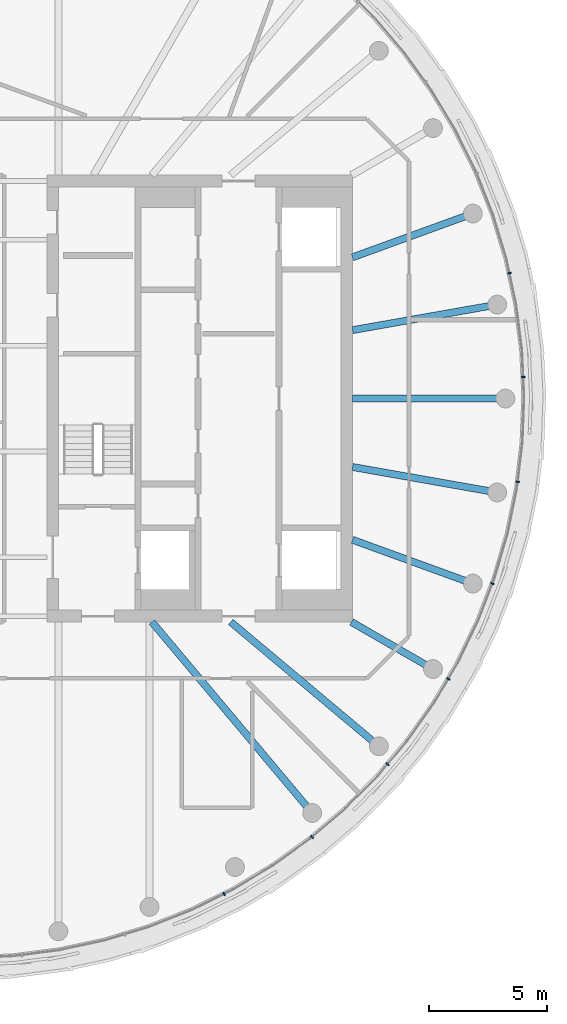
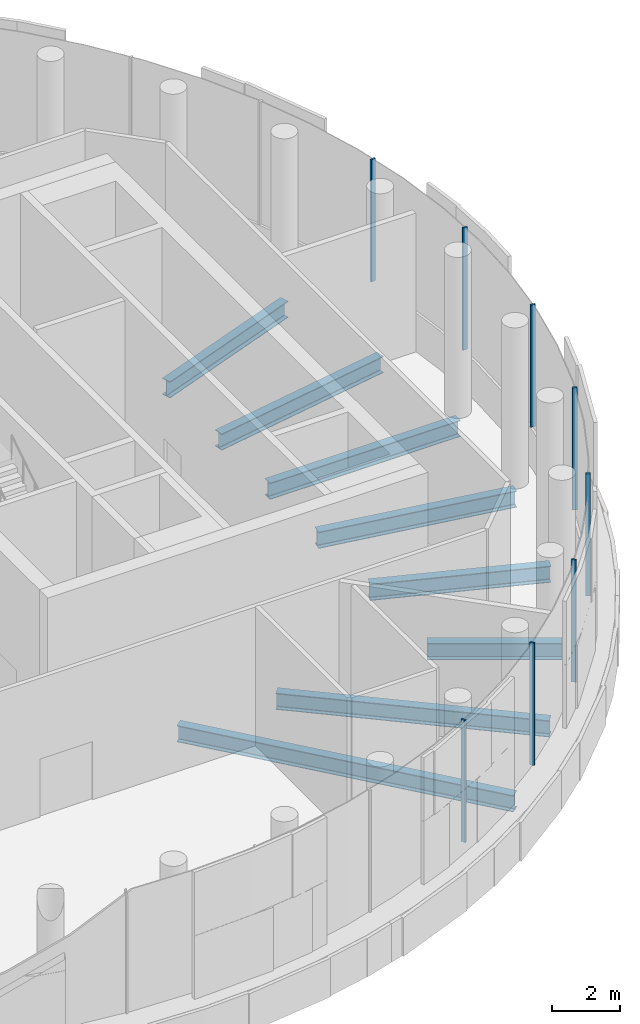
# One storey, part 6 of 18: 8 beams, 8 members, 1 element without a shape of its own.
"""IFC4 building model written with IfcOpenShell, lengths in metres."""

from ifc_helpers import new_model, si_unit, direction, frame, origin, origin_2d, place, context, subcontext, project, spatial, rectangle, i_section, extrude, material, layer, layer_set, material_profile, profile_set, type_object, element, aggregate, save


model = new_model("IFC4")

# Units and contexts
model_context = context("Model", 3, precision=1e-05, world=origin(), true_north=direction((0.0, 1.0)))
body_context = subcontext(model_context, "Body", "Model", "MODEL_VIEW")
ifc_project = project(units=[si_unit("LENGTHUNIT", "METRE"), si_unit("AREAUNIT", "SQUARE_METRE"), si_unit("VOLUMEUNIT", "CUBIC_METRE"), si_unit("PLANEANGLEUNIT", "RADIAN"), si_unit("MASSUNIT", "GRAM", prefix="KILO")], contexts=[model_context])

# Site, building, storey
site_placement = place(None, origin())
site = spatial("IfcSite", under=ifc_project, at=site_placement, CompositionType="ELEMENT")
building_placement = place(site_placement, origin())
building = spatial("IfcBuilding", under=site, at=building_placement, Name="Tamarind Cross Interchange Tower", CompositionType="ELEMENT")
storey_placement = place(building_placement, frame((0.0, 0.0, 299.39990234375)))
storey = spatial("IfcBuildingStorey", under=building, at=storey_placement, Name="L74", CompositionType="ELEMENT", Elevation=299.39990234375)

# Beams
ifc_material_1 = material(Name="Steel Q355B", Category="steel")
ifc_material_profile_1 = material_profile(ifc_material_1, i_section(OverallWidth=0.302001953125, OverallDepth=0.593994140625, WebThickness=0.013916015625, FlangeThickness=0.02294921875, FilletRadius=0.01806640625, at=origin_2d()), Name="HM 594x302x14x23")
ifc_profile_set_1 = profile_set([ifc_material_profile_1], Name="Steel Q355B")
beam_type = type_object("IfcBeamType", Name="Composite beam HM 594x302x14x23 Q355B", PredefinedType="BEAM", material=ifc_profile_set_1)
beam_1_placement = place(storey_placement, frame((23.0, 0.0, -0.546875), z_axis=(-1.0, 0.0, 0.0), x_axis=(0.0, -1.0, 0.0)))
element("IfcBeam", 1, at=beam_1_placement, inside=storey, type_object=beam_type, Name="Beam HH00", PredefinedType="BEAM", context=body_context, shape_type="SweptSolid", body=[
    extrude(i_section(OverallWidth=0.302001953125, OverallDepth=0.593994140625, WebThickness=0.013916015625, FlangeThickness=0.02294921875, FilletRadius=0.01806640625, at=origin_2d()), origin(), (0.0, 0.0, 1.0), 6.5),
])
beam_2_placement = place(storey_placement, frame((22.650634765625, 3.993896484375, -0.546875), z_axis=(-0.984809127561, -0.173640382036, 0.0), x_axis=(0.173640382036, -0.984809127561, 0.0)))
element("IfcBeam", 2, at=beam_2_placement, inside=storey, type_object=beam_type, Name="Beam HH01", PredefinedType="BEAM", context=body_context, shape_type="SweptSolid", body=[
    extrude(i_section(OverallWidth=0.302001953125, OverallDepth=0.593994140625, WebThickness=0.013916015625, FlangeThickness=0.02294921875, FilletRadius=0.01806640625, at=origin_2d()), origin(), (0.0, 0.0, 1.0), 6.24560546875),
])
beam_3_placement = place(storey_placement, frame((21.613037109375, 7.866455078125, -0.546875), z_axis=(-0.939701685589, -0.341995236956, 0.0), x_axis=(0.341995236956, -0.939701685589, 0.0)))
element("IfcBeam", 3, at=beam_3_placement, inside=storey, type_object=beam_type, Name="Beam HH02", PredefinedType="BEAM", context=body_context, shape_type="SweptSolid", body=[
    extrude(i_section(OverallWidth=0.302001953125, OverallDepth=0.593994140625, WebThickness=0.013916015625, FlangeThickness=0.02294921875, FilletRadius=0.01806640625, at=origin_2d()), origin(), (0.0, 0.0, 1.0), 5.441162109375),
])
beam_4_placement = place(storey_placement, frame((14.7841796875, -17.619140625, -0.546875), z_axis=(-0.642786293979, 0.766045547127, 0.0), x_axis=(-0.766045547127, -0.642786293979, 0.0)))
element("IfcBeam", 4, at=beam_4_placement, inside=storey, type_object=beam_type, Name="Beam HH31", PredefinedType="BEAM", context=body_context, shape_type="SweptSolid", body=[
    extrude(i_section(OverallWidth=0.302001953125, OverallDepth=0.593994140625, WebThickness=0.013916015625, FlangeThickness=0.02294921875, FilletRadius=0.01806640625, at=origin_2d()), origin(), (0.0, 0.0, 1.0), 10.598876953125),
])
beam_5_placement = place(storey_placement, frame((17.619140625, -14.7841796875, -0.546875), z_axis=(-0.766040580814, 0.642792212574, 0.0), x_axis=(-0.642792212574, -0.766040580814, 0.0)))
element("IfcBeam", 5, at=beam_5_placement, inside=storey, type_object=beam_type, Name="Beam HH32", PredefinedType="BEAM", context=body_context, shape_type="SweptSolid", body=[
    extrude(i_section(OverallWidth=0.302001953125, OverallDepth=0.593994140625, WebThickness=0.013916015625, FlangeThickness=0.02294921875, FilletRadius=0.01806640625, at=origin_2d()), origin(), (0.0, 0.0, 1.0), 8.220703125),
])
beam_6_placement = place(storey_placement, frame((19.918701171875, -11.5, -0.546875), z_axis=(-0.866026010844, 0.49999894854, 0.0), x_axis=(-0.49999894854, -0.866026010844, 0.0)))
element("IfcBeam", 6, at=beam_6_placement, inside=storey, type_object=beam_type, Name="Beam HH33", PredefinedType="BEAM", context=body_context, shape_type="SweptSolid", body=[
    extrude(i_section(OverallWidth=0.302001953125, OverallDepth=0.593994140625, WebThickness=0.013916015625, FlangeThickness=0.02294921875, FilletRadius=0.01806640625, at=origin_2d()), origin(), (0.0, 0.0, 1.0), 4.0),
])
beam_7_placement = place(storey_placement, frame((21.613037109375, -7.866455078125, -0.546875), z_axis=(-0.939701685589, 0.341995236956, 0.0), x_axis=(-0.341995236956, -0.939701685589, 0.0)))
element("IfcBeam", 7, at=beam_7_placement, inside=storey, type_object=beam_type, Name="Beam HH34", PredefinedType="BEAM", context=body_context, shape_type="SweptSolid", body=[
    extrude(i_section(OverallWidth=0.302001953125, OverallDepth=0.593994140625, WebThickness=0.013916015625, FlangeThickness=0.02294921875, FilletRadius=0.01806640625, at=origin_2d()), origin(), (0.0, 0.0, 1.0), 5.441162109375),
])
beam_8_placement = place(storey_placement, frame((22.650634765625, -3.993896484375, -0.546875), z_axis=(-0.984809127561, 0.173640382036, 0.0), x_axis=(-0.173640382036, -0.984809127561, 0.0)))
element("IfcBeam", 8, at=beam_8_placement, inside=storey, type_object=beam_type, Name="Beam HH35", PredefinedType="BEAM", context=body_context, shape_type="SweptSolid", body=[
    extrude(i_section(OverallWidth=0.302001953125, OverallDepth=0.593994140625, WebThickness=0.013916015625, FlangeThickness=0.02294921875, FilletRadius=0.01806640625, at=origin_2d()), origin(), (0.0, 0.0, 1.0), 6.24560546875),
])

# Curtain wall, members
ifc_material_2 = material(Name="Aluminium 6063-T6", Category="aluminium")
ifc_layer = layer(ifc_material_2, 0.14990234375)
ifc_layer_set = layer_set([ifc_layer], Name="Aluminium 6063-T6")
curtain_wall_type = type_object("IfcCurtainWallType", Name="Winter garden and crown curtain wall", PredefinedType="NOTDEFINED", material=ifc_layer_set)
curtain_wall_placement = place(storey_placement, origin())
curtain_wall = element("IfcCurtainWall", 9, at=curtain_wall_placement, inside=storey, type_object=curtain_wall_type, Name="CWS-L74-02", PredefinedType="NOTDEFINED")
ifc_material_profile_2 = material_profile(ifc_material_2, rectangle(XDim=0.06005859375, YDim=0.14990234375, at=origin_2d()), Name="Mullion CW6")
ifc_profile_set_2 = profile_set([ifc_material_profile_2], Name="Aluminium 6063-T6")
member_type = type_object("IfcMemberType", Name="Mullion CW6", PredefinedType="MULLION", material=ifc_profile_set_2)
member_1_placement = place(storey_placement, frame((11.036376953125, -21.066162109375, 1.400146484375), z_axis=(0.0, 0.0, 1.0), x_axis=(0.896492548518, 0.443058811505, 0.0)))
member_1 = element("IfcMember", 10, at=member_1_placement, type_object=member_type, Name="CWM-L74-02-16", PredefinedType="MULLION", context=body_context, shape_type="SweptSolid", body=[
    extrude(rectangle(XDim=0.06005859375, YDim=0.14990234375, at=origin_2d()), origin(), (0.0, 0.0, 1.0), 4.419921875),
])
member_2_placement = place(storey_placement, frame((14.7802734375, -18.6435546875, 1.400146484375), z_axis=(0.0, 0.0, 1.0), x_axis=(0.760295606781, 0.64957723968, 0.0)))
member_2 = element("IfcMember", 11, at=member_2_placement, type_object=member_type, Name="CWM-L74-02-17", PredefinedType="MULLION", context=body_context, shape_type="SweptSolid", body=[
    extrude(rectangle(XDim=0.06005859375, YDim=0.14990234375, at=origin_2d()), origin(), (0.0, 0.0, 1.0), 4.419921875),
])
member_3_placement = place(storey_placement, frame((17.990478515625, -15.547607421875, 1.400146484375), z_axis=(0.0, 0.0, 1.0), x_axis=(0.643009266048, 0.765858396687, 0.0)))
member_3 = element("IfcMember", 12, at=member_3_placement, type_object=member_type, Name="CWM-L74-02-18", PredefinedType="MULLION", context=body_context, shape_type="SweptSolid", body=[
    extrude(rectangle(XDim=0.06005859375, YDim=0.14990234375, at=origin_2d()), origin(), (0.0, 0.0, 1.0), 4.419921875),
])
member_4_placement = place(storey_placement, frame((20.575439453125, -11.914794921875, 1.400146484375), z_axis=(0.0, 0.0, 1.0), x_axis=(0.508183308752, 0.861248933065, 0.0)))
member_4 = element("IfcMember", 13, at=member_4_placement, type_object=member_type, Name="CWM-L74-02-19", PredefinedType="MULLION", context=body_context, shape_type="SweptSolid", body=[
    extrude(rectangle(XDim=0.06005859375, YDim=0.14990234375, at=origin_2d()), origin(), (0.0, 0.0, 1.0), 4.419921875),
])
member_5_placement = place(storey_placement, frame((22.44775390625, -7.86767578125, 1.400146484375), z_axis=(0.0, 0.0, 1.0), x_axis=(0.359495435512, 0.933146843667, 0.0)))
member_5 = element("IfcMember", 14, at=member_5_placement, type_object=member_type, Name="CWM-L74-02-20", PredefinedType="MULLION", context=body_context, shape_type="SweptSolid", body=[
    extrude(rectangle(XDim=0.06005859375, YDim=0.14990234375, at=origin_2d()), origin(), (0.0, 0.0, 1.0), 4.419921875),
])
member_6_placement = place(storey_placement, frame((23.52099609375, -3.539794921875, 1.400146484375), z_axis=(0.0, 0.0, 1.0), x_axis=(0.119420963295, 0.992843710523, 0.0)))
member_6 = element("IfcMember", 15, at=member_6_placement, type_object=member_type, Name="CWM-L74-02-21", PredefinedType="MULLION", context=body_context, shape_type="SweptSolid", body=[
    extrude(rectangle(XDim=0.06005859375, YDim=0.14990234375, at=origin_2d()), origin(), (0.0, 0.0, 1.0), 4.419921875),
])
member_7_placement = place(storey_placement, frame((23.758544921875, 0.9130859375, 1.400146484375), z_axis=(0.0, 0.0, 1.0), x_axis=(-0.045624486728, 0.998958660912, 0.0)))
member_7 = element("IfcMember", 16, at=member_7_placement, type_object=member_type, Name="CWM-L74-02-22", PredefinedType="MULLION", context=body_context, shape_type="SweptSolid", body=[
    extrude(rectangle(XDim=0.06005859375, YDim=0.14990234375, at=origin_2d()), origin(), (0.0, 0.0, 1.0), 4.419921875),
])
member_8_placement = place(storey_placement, frame((23.17236328125, 5.333251953125, 1.400146484375), z_axis=(0.0, 0.0, 1.0), x_axis=(-0.209425419705, 0.977824623121, 0.0)))
member_8 = element("IfcMember", 17, at=member_8_placement, type_object=member_type, Name="CWM-L74-02-23", PredefinedType="MULLION", context=body_context, shape_type="SweptSolid", body=[
    extrude(rectangle(XDim=0.06005859375, YDim=0.14990234375, at=origin_2d()), origin(), (0.0, 0.0, 1.0), 4.419921875),
])
aggregate(curtain_wall, [member_1, member_2, member_3, member_4, member_5, member_6, member_7, member_8])

save(model, "model.ifc")
